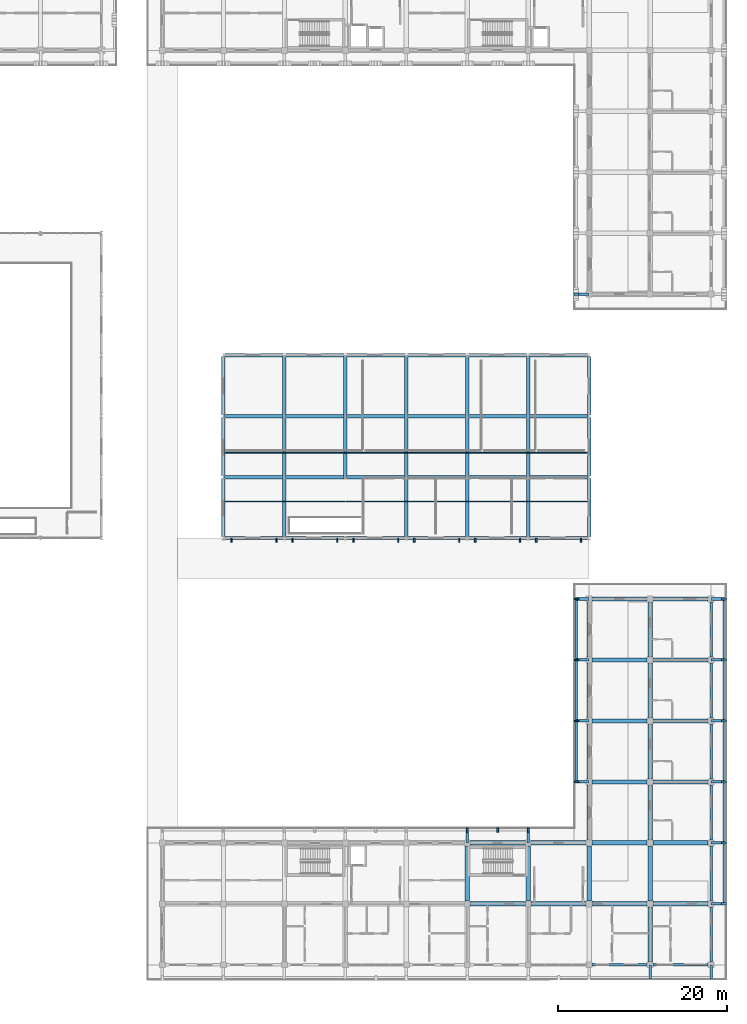
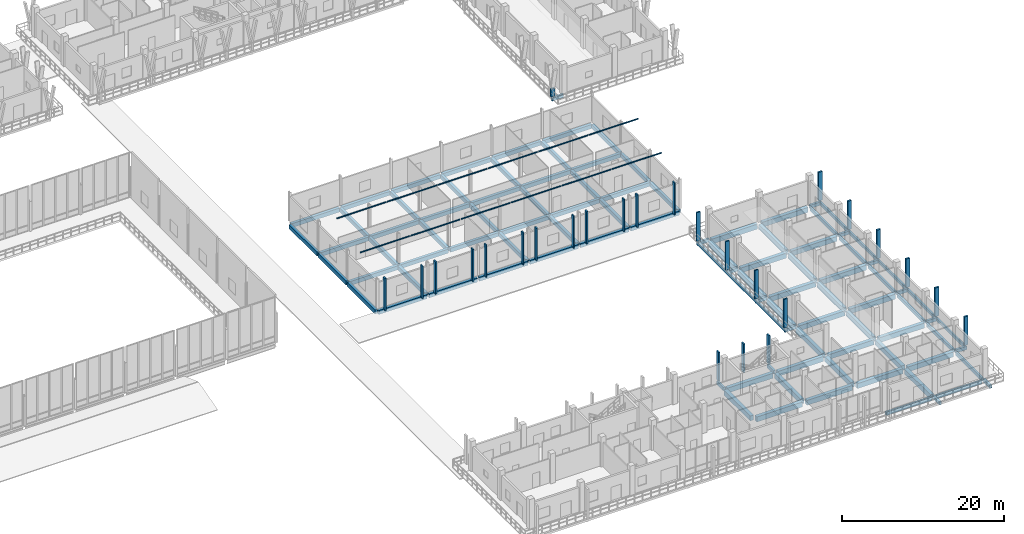
# One storey, part 50 of 110: 98 beams, 38 members.
"""IFC4 building model written with IfcOpenShell, lengths in metres."""

from ifc_helpers import new_model, si_unit, direction, frame, origin, origin_2d, place, context, subcontext, project, spatial, rectangle, i_section, extrude, material, material_profile, profile_set, type_object, element, save


model = new_model("IFC4")

# Units and contexts
model_context = context("Model", 3, precision=1e-05, world=origin(), true_north=direction((0.0, 1.0)))
body_context = subcontext(model_context, "Body", "Model", "MODEL_VIEW")
ifc_project = project(units=[si_unit("LENGTHUNIT", "METRE"), si_unit("AREAUNIT", "SQUARE_METRE"), si_unit("VOLUMEUNIT", "CUBIC_METRE"), si_unit("PLANEANGLEUNIT", "RADIAN"), si_unit("MASSUNIT", "GRAM", prefix="KILO")], contexts=[model_context])

# Site, building, storey
site_placement = place(None, origin())
site = spatial("IfcSite", under=ifc_project, at=site_placement, CompositionType="ELEMENT")
building_placement = place(site_placement, origin())
building = spatial("IfcBuilding", under=site, at=building_placement, Name="Suanplinth Sawtooth Commons", CompositionType="ELEMENT")
storey_placement = place(building_placement, frame((0.0, 0.0, 4.5)))
storey = spatial("IfcBuildingStorey", under=building, at=storey_placement, Name="L01", CompositionType="ELEMENT", Elevation=4.5)

# Beams
ifc_material_1 = material(Name="Concrete C40/50", Category="concrete")
ifc_material_profile_1 = material_profile(ifc_material_1, rectangle(XDim=0.5, YDim=0.75, at=origin_2d()), Name="RC-GDR 500x750")
ifc_profile_set_1 = profile_set([ifc_material_profile_1], Name="Concrete C40/50")
beam_type_1 = type_object("IfcBeamType", Name="B-03", PredefinedType="USERDEFINED", material=ifc_profile_set_1)
for number, where, z_axis, x_axis, name in (
    (1, (158.75, 7.199951171875, -0.675048828125), (1.0, 0.0, 0.0), (0.0, 1.0, 0.0), "BMX-L01-C-22-1"),
    (2, (158.75, 14.39990234375, -0.675048828125), (1.0, 0.0, 0.0), (0.0, 1.0, 0.0), "BMX-L01-C-22-2"),
    (3, (165.949951171875, 7.199951171875, -0.675048828125), (1.0, 0.0, 0.0), (0.0, 1.0, 0.0), "BMX-L01-C-23-1"),
    (4, (165.949951171875, 14.39990234375, -0.675048828125), (1.0, 0.0, 0.0), (0.0, 1.0, 0.0), "BMX-L01-C-23-2"),
    (5, (173.14990234375, 7.199951171875, -0.675048828125), (1.0, 0.0, 0.0), (0.0, 1.0, 0.0), "BMX-L01-C-24-1"),
    (6, (173.14990234375, 14.39990234375, -0.675048828125), (1.0, 0.0, 0.0), (0.0, 1.0, 0.0), "BMX-L01-C-24-2"),
    (7, (173.14990234375, 21.60009765625, -0.675048828125), (1.0, 0.0, 0.0), (0.0, 1.0, 0.0), "BMX-L01-C-24-3"),
    (8, (173.14990234375, 28.800048828125, -0.675048828125), (1.0, 0.0, 0.0), (0.0, 1.0, 0.0), "BMX-L01-C-24-4"),
    (9, (173.14990234375, 36.0, -0.675048828125), (1.0, 0.0, 0.0), (0.0, 1.0, 0.0), "BMX-L01-C-24-5"),
    (10, (173.14990234375, 43.199951171875, -0.675048828125), (1.0, 0.0, 0.0), (0.0, 1.0, 0.0), "BMX-L01-C-24-6"),
    (11, (180.35009765625, 7.199951171875, -0.675048828125), (1.0, 0.0, 0.0), (0.0, 1.0, 0.0), "BMX-L01-C-25-1"),
    (12, (180.35009765625, 14.39990234375, -0.675048828125), (1.0, 0.0, 0.0), (0.0, 1.0, 0.0), "BMX-L01-C-25-2"),
    (13, (180.35009765625, 21.60009765625, -0.675048828125), (1.0, 0.0, 0.0), (0.0, 1.0, 0.0), "BMX-L01-C-25-3"),
    (14, (180.35009765625, 28.800048828125, -0.675048828125), (1.0, 0.0, 0.0), (0.0, 1.0, 0.0), "BMX-L01-C-25-4"),
    (15, (180.35009765625, 36.0, -0.675048828125), (1.0, 0.0, 0.0), (0.0, 1.0, 0.0), "BMX-L01-C-25-5"),
    (16, (180.35009765625, 43.199951171875, -0.675048828125), (1.0, 0.0, 0.0), (0.0, 1.0, 0.0), "BMX-L01-C-25-6"),
    (17, (158.39990234375, 7.550048828125, -0.675048828125), (0.0, 1.0, 0.0), (-1.0, 0.0, 0.0), "BMY-L01-C-22-1"),
    (18, (165.60009765625, 7.550048828125, -0.675048828125), (0.0, 1.0, 0.0), (-1.0, 0.0, 0.0), "BMY-L01-C-23-1"),
    (19, (172.800048828125, 7.550048828125, -0.675048828125), (0.0, 1.0, 0.0), (-1.0, 0.0, 0.0), "BMY-L01-C-24-1"),
    (20, (172.800048828125, 14.75, -0.675048828125), (0.0, 1.0, 0.0), (-1.0, 0.0, 0.0), "BMY-L01-C-24-2"),
    (21, (172.800048828125, 21.949951171875, -0.675048828125), (0.0, 1.0, 0.0), (-1.0, 0.0, 0.0), "BMY-L01-C-24-3"),
    (22, (172.800048828125, 29.14990234375, -0.675048828125), (0.0, 1.0, 0.0), (-1.0, 0.0, 0.0), "BMY-L01-C-24-4"),
    (23, (172.800048828125, 36.35009765625, -0.675048828125), (0.0, 1.0, 0.0), (-1.0, 0.0, 0.0), "BMY-L01-C-24-5"),
    (24, (180.0, 0.35009765625, -0.675048828125), (0.0, 1.0, 0.0), (-1.0, 0.0, 0.0), "BMY-L01-C-25-0"),
    (25, (180.0, 7.550048828125, -0.675048828125), (0.0, 1.0, 0.0), (-1.0, 0.0, 0.0), "BMY-L01-C-25-1"),
    (26, (180.0, 14.75, -0.675048828125), (0.0, 1.0, 0.0), (-1.0, 0.0, 0.0), "BMY-L01-C-25-2"),
    (27, (180.0, 21.949951171875, -0.675048828125), (0.0, 1.0, 0.0), (-1.0, 0.0, 0.0), "BMY-L01-C-25-3"),
    (28, (180.0, 29.14990234375, -0.675048828125), (0.0, 1.0, 0.0), (-1.0, 0.0, 0.0), "BMY-L01-C-25-4"),
    (29, (180.0, 36.35009765625, -0.675048828125), (0.0, 1.0, 0.0), (-1.0, 0.0, 0.0), "BMY-L01-C-25-5"),
):
    element("IfcBeam", number, at=place(storey_placement, frame(where, z_axis=z_axis, x_axis=x_axis)), inside=storey, type_object=beam_type_1, Name=name, ObjectType="GIRDER", PredefinedType="USERDEFINED", context=body_context, shape_type="SweptSolid", body=[
        extrude(rectangle(XDim=0.5, YDim=0.75, at=origin_2d()), origin(), (0.0, 0.0, 1.0), 6.5),
    ])
ifc_material_2 = material(Name="Precast concrete C40/50", Category="concrete")
ifc_material_profile_2 = material_profile(ifc_material_2, rectangle(XDim=0.39990234375, YDim=0.60009765625, at=origin_2d()), Name="PC-GDR 400x600")
ifc_profile_set_2 = profile_set([ifc_material_profile_2], Name="Precast concrete C40/50")
beam_type_2 = type_object("IfcBeamType", Name="B-05", PredefinedType="USERDEFINED", material=ifc_profile_set_2)
for number, where, z_axis, x_axis, name in (
    (30, (129.75, 50.39990234375, -0.60009765625), (1.0, 0.0, 0.0), (0.0, 1.0, 0.0), "BMX-L01-NURS-18-7"),
    (31, (129.75, 57.60009765625, -0.60009765625), (1.0, 0.0, 0.0), (0.0, 1.0, 0.0), "BMX-L01-NURS-18-8"),
    (32, (129.75, 64.800048828125, -0.60009765625), (1.0, 0.0, 0.0), (0.0, 1.0, 0.0), "BMX-L01-NURS-18-9"),
    (33, (129.75, 72.0, -0.60009765625), (1.0, 0.0, 0.0), (0.0, 1.0, 0.0), "BMX-L01-NURS-18-10"),
):
    element("IfcBeam", number, at=place(storey_placement, frame(where, z_axis=z_axis, x_axis=x_axis)), inside=storey, type_object=beam_type_2, Name=name, ObjectType="GIRDER", PredefinedType="USERDEFINED", context=body_context, shape_type="SweptSolid", body=[
        extrude(rectangle(XDim=0.39990234375, YDim=0.60009765625, at=origin_2d()), origin(), (0.0, 0.0, 1.0), 6.89990234375),
    ])
for number, where, z_axis, x_axis, name in (
    (34, (136.949951171875, 50.39990234375, -0.60009765625), (1.0, 0.0, 0.0), (0.0, 1.0, 0.0), "BMX-L01-NURS-19-7"),
    (35, (136.949951171875, 57.60009765625, -0.60009765625), (1.0, 0.0, 0.0), (0.0, 1.0, 0.0), "BMX-L01-NURS-19-8"),
    (36, (136.949951171875, 64.800048828125, -0.60009765625), (1.0, 0.0, 0.0), (0.0, 1.0, 0.0), "BMX-L01-NURS-19-9"),
    (37, (136.949951171875, 72.0, -0.60009765625), (1.0, 0.0, 0.0), (0.0, 1.0, 0.0), "BMX-L01-NURS-19-10"),
    (38, (144.14990234375, 50.39990234375, -0.60009765625), (1.0, 0.0, 0.0), (0.0, 1.0, 0.0), "BMX-L01-NURS-20-7"),
    (39, (144.14990234375, 57.60009765625, -0.60009765625), (1.0, 0.0, 0.0), (0.0, 1.0, 0.0), "BMX-L01-NURS-20-8"),
    (40, (144.14990234375, 64.800048828125, -0.60009765625), (1.0, 0.0, 0.0), (0.0, 1.0, 0.0), "BMX-L01-NURS-20-9"),
    (41, (144.14990234375, 72.0, -0.60009765625), (1.0, 0.0, 0.0), (0.0, 1.0, 0.0), "BMX-L01-NURS-20-10"),
):
    element("IfcBeam", number, at=place(storey_placement, frame(where, z_axis=z_axis, x_axis=x_axis)), inside=storey, type_object=beam_type_2, Name=name, ObjectType="GIRDER", PredefinedType="USERDEFINED", context=body_context, shape_type="SweptSolid", body=[
        extrude(rectangle(XDim=0.39990234375, YDim=0.60009765625, at=origin_2d()), origin(), (0.0, 0.0, 1.0), 6.900146484375),
    ])
for number, where, z_axis, x_axis, name in (
    (42, (151.35009765625, 50.39990234375, -0.60009765625), (1.0, 0.0, 0.0), (0.0, 1.0, 0.0), "BMX-L01-NURS-21-7"),
    (43, (151.35009765625, 57.60009765625, -0.60009765625), (1.0, 0.0, 0.0), (0.0, 1.0, 0.0), "BMX-L01-NURS-21-8"),
    (44, (151.35009765625, 64.800048828125, -0.60009765625), (1.0, 0.0, 0.0), (0.0, 1.0, 0.0), "BMX-L01-NURS-21-9"),
    (45, (151.35009765625, 72.0, -0.60009765625), (1.0, 0.0, 0.0), (0.0, 1.0, 0.0), "BMX-L01-NURS-21-10"),
    (46, (158.550048828125, 50.39990234375, -0.60009765625), (1.0, 0.0, 0.0), (0.0, 1.0, 0.0), "BMX-L01-NURS-22-7"),
    (47, (158.550048828125, 57.60009765625, -0.60009765625), (1.0, 0.0, 0.0), (0.0, 1.0, 0.0), "BMX-L01-NURS-22-8"),
    (48, (158.550048828125, 64.800048828125, -0.60009765625), (1.0, 0.0, 0.0), (0.0, 1.0, 0.0), "BMX-L01-NURS-22-9"),
    (49, (158.550048828125, 72.0, -0.60009765625), (1.0, 0.0, 0.0), (0.0, 1.0, 0.0), "BMX-L01-NURS-22-10"),
    (50, (165.75, 50.39990234375, -0.60009765625), (1.0, 0.0, 0.0), (0.0, 1.0, 0.0), "BMX-L01-NURS-23-7"),
    (51, (165.75, 57.60009765625, -0.60009765625), (1.0, 0.0, 0.0), (0.0, 1.0, 0.0), "BMX-L01-NURS-23-8"),
    (52, (165.75, 64.800048828125, -0.60009765625), (1.0, 0.0, 0.0), (0.0, 1.0, 0.0), "BMX-L01-NURS-23-9"),
    (53, (165.75, 72.0, -0.60009765625), (1.0, 0.0, 0.0), (0.0, 1.0, 0.0), "BMX-L01-NURS-23-10"),
    (54, (129.60009765625, 50.550048828125, -0.60009765625), (0.0, 1.0, 0.0), (-1.0, 0.0, 0.0), "BMY-L01-NURS-18-7"),
    (55, (129.60009765625, 57.75, -0.60009765625), (0.0, 1.0, 0.0), (-1.0, 0.0, 0.0), "BMY-L01-NURS-18-8"),
):
    element("IfcBeam", number, at=place(storey_placement, frame(where, z_axis=z_axis, x_axis=x_axis)), inside=storey, type_object=beam_type_2, Name=name, ObjectType="GIRDER", PredefinedType="USERDEFINED", context=body_context, shape_type="SweptSolid", body=[
        extrude(rectangle(XDim=0.39990234375, YDim=0.60009765625, at=origin_2d()), origin(), (0.0, 0.0, 1.0), 6.89990234375),
    ])
beam_1_placement = place(storey_placement, frame((129.60009765625, 64.949951171875, -0.60009765625), z_axis=(0.0, 1.0, 0.0), x_axis=(-1.0, 0.0, 0.0)))
element("IfcBeam", 56, at=beam_1_placement, inside=storey, type_object=beam_type_2, Name="BMY-L01-NURS-18-9", ObjectType="GIRDER", PredefinedType="USERDEFINED", context=body_context, shape_type="SweptSolid", body=[
    extrude(rectangle(XDim=0.39990234375, YDim=0.60009765625, at=origin_2d()), origin(), (0.0, 0.0, 1.0), 6.900146484375),
])
for number, where, z_axis, x_axis, name in (
    (57, (136.800048828125, 50.550048828125, -0.60009765625), (0.0, 1.0, 0.0), (-1.0, 0.0, 0.0), "BMY-L01-NURS-19-7"),
    (58, (136.800048828125, 57.75, -0.60009765625), (0.0, 1.0, 0.0), (-1.0, 0.0, 0.0), "BMY-L01-NURS-19-8"),
):
    element("IfcBeam", number, at=place(storey_placement, frame(where, z_axis=z_axis, x_axis=x_axis)), inside=storey, type_object=beam_type_2, Name=name, ObjectType="GIRDER", PredefinedType="USERDEFINED", context=body_context, shape_type="SweptSolid", body=[
        extrude(rectangle(XDim=0.39990234375, YDim=0.60009765625, at=origin_2d()), origin(), (0.0, 0.0, 1.0), 6.89990234375),
    ])
beam_2_placement = place(storey_placement, frame((136.800048828125, 64.949951171875, -0.60009765625), z_axis=(0.0, 1.0, 0.0), x_axis=(-1.0, 0.0, 0.0)))
element("IfcBeam", 59, at=beam_2_placement, inside=storey, type_object=beam_type_2, Name="BMY-L01-NURS-19-9", ObjectType="GIRDER", PredefinedType="USERDEFINED", context=body_context, shape_type="SweptSolid", body=[
    extrude(rectangle(XDim=0.39990234375, YDim=0.60009765625, at=origin_2d()), origin(), (0.0, 0.0, 1.0), 6.900146484375),
])
beam_3_placement = place(storey_placement, frame((144.0, 57.75, -0.60009765625), z_axis=(0.0, 1.0, 0.0), x_axis=(-1.0, 0.0, 0.0)))
element("IfcBeam", 60, at=beam_3_placement, inside=storey, type_object=beam_type_2, Name="BMY-L01-NURS-20-8", ObjectType="GIRDER", PredefinedType="USERDEFINED", context=body_context, shape_type="SweptSolid", body=[
    extrude(rectangle(XDim=0.39990234375, YDim=0.60009765625, at=origin_2d()), origin(), (0.0, 0.0, 1.0), 6.89990234375),
])
beam_4_placement = place(storey_placement, frame((144.0, 64.949951171875, -0.60009765625), z_axis=(0.0, 1.0, 0.0), x_axis=(-1.0, 0.0, 0.0)))
element("IfcBeam", 61, at=beam_4_placement, inside=storey, type_object=beam_type_2, Name="BMY-L01-NURS-20-9", ObjectType="GIRDER", PredefinedType="USERDEFINED", context=body_context, shape_type="SweptSolid", body=[
    extrude(rectangle(XDim=0.39990234375, YDim=0.60009765625, at=origin_2d()), origin(), (0.0, 0.0, 1.0), 6.900146484375),
])
for number, where, z_axis, x_axis, name in (
    (62, (151.199951171875, 50.550048828125, -0.60009765625), (0.0, 1.0, 0.0), (-1.0, 0.0, 0.0), "BMY-L01-NURS-21-7"),
    (63, (151.199951171875, 57.75, -0.60009765625), (0.0, 1.0, 0.0), (-1.0, 0.0, 0.0), "BMY-L01-NURS-21-8"),
):
    element("IfcBeam", number, at=place(storey_placement, frame(where, z_axis=z_axis, x_axis=x_axis)), inside=storey, type_object=beam_type_2, Name=name, ObjectType="GIRDER", PredefinedType="USERDEFINED", context=body_context, shape_type="SweptSolid", body=[
        extrude(rectangle(XDim=0.39990234375, YDim=0.60009765625, at=origin_2d()), origin(), (0.0, 0.0, 1.0), 6.89990234375),
    ])
beam_5_placement = place(storey_placement, frame((151.199951171875, 64.949951171875, -0.60009765625), z_axis=(0.0, 1.0, 0.0), x_axis=(-1.0, 0.0, 0.0)))
element("IfcBeam", 64, at=beam_5_placement, inside=storey, type_object=beam_type_2, Name="BMY-L01-NURS-21-9", ObjectType="GIRDER", PredefinedType="USERDEFINED", context=body_context, shape_type="SweptSolid", body=[
    extrude(rectangle(XDim=0.39990234375, YDim=0.60009765625, at=origin_2d()), origin(), (0.0, 0.0, 1.0), 6.900146484375),
])
for number, where, z_axis, x_axis, name in (
    (65, (158.39990234375, 50.550048828125, -0.60009765625), (0.0, 1.0, 0.0), (-1.0, 0.0, 0.0), "BMY-L01-NURS-22-7"),
    (66, (158.39990234375, 57.75, -0.60009765625), (0.0, 1.0, 0.0), (-1.0, 0.0, 0.0), "BMY-L01-NURS-22-8"),
):
    element("IfcBeam", number, at=place(storey_placement, frame(where, z_axis=z_axis, x_axis=x_axis)), inside=storey, type_object=beam_type_2, Name=name, ObjectType="GIRDER", PredefinedType="USERDEFINED", context=body_context, shape_type="SweptSolid", body=[
        extrude(rectangle(XDim=0.39990234375, YDim=0.60009765625, at=origin_2d()), origin(), (0.0, 0.0, 1.0), 6.89990234375),
    ])
beam_6_placement = place(storey_placement, frame((158.39990234375, 64.949951171875, -0.60009765625), z_axis=(0.0, 1.0, 0.0), x_axis=(-1.0, 0.0, 0.0)))
element("IfcBeam", 67, at=beam_6_placement, inside=storey, type_object=beam_type_2, Name="BMY-L01-NURS-22-9", ObjectType="GIRDER", PredefinedType="USERDEFINED", context=body_context, shape_type="SweptSolid", body=[
    extrude(rectangle(XDim=0.39990234375, YDim=0.60009765625, at=origin_2d()), origin(), (0.0, 0.0, 1.0), 6.900146484375),
])
for number, where, z_axis, x_axis, name in (
    (68, (165.60009765625, 50.550048828125, -0.60009765625), (0.0, 1.0, 0.0), (-1.0, 0.0, 0.0), "BMY-L01-NURS-23-7"),
    (69, (165.60009765625, 57.75, -0.60009765625), (0.0, 1.0, 0.0), (-1.0, 0.0, 0.0), "BMY-L01-NURS-23-8"),
):
    element("IfcBeam", number, at=place(storey_placement, frame(where, z_axis=z_axis, x_axis=x_axis)), inside=storey, type_object=beam_type_2, Name=name, ObjectType="GIRDER", PredefinedType="USERDEFINED", context=body_context, shape_type="SweptSolid", body=[
        extrude(rectangle(XDim=0.39990234375, YDim=0.60009765625, at=origin_2d()), origin(), (0.0, 0.0, 1.0), 6.89990234375),
    ])
beam_7_placement = place(storey_placement, frame((165.60009765625, 64.949951171875, -0.60009765625), z_axis=(0.0, 1.0, 0.0), x_axis=(-1.0, 0.0, 0.0)))
element("IfcBeam", 70, at=beam_7_placement, inside=storey, type_object=beam_type_2, Name="BMY-L01-NURS-23-9", ObjectType="GIRDER", PredefinedType="USERDEFINED", context=body_context, shape_type="SweptSolid", body=[
    extrude(rectangle(XDim=0.39990234375, YDim=0.60009765625, at=origin_2d()), origin(), (0.0, 0.0, 1.0), 6.900146484375),
])
for number, where, z_axis, x_axis, name in (
    (71, (172.800048828125, 50.550048828125, -0.60009765625), (0.0, 1.0, 0.0), (-1.0, 0.0, 0.0), "BMY-L01-NURS-24-7"),
    (72, (172.800048828125, 57.75, -0.60009765625), (0.0, 1.0, 0.0), (-1.0, 0.0, 0.0), "BMY-L01-NURS-24-8"),
):
    element("IfcBeam", number, at=place(storey_placement, frame(where, z_axis=z_axis, x_axis=x_axis)), inside=storey, type_object=beam_type_2, Name=name, ObjectType="GIRDER", PredefinedType="USERDEFINED", context=body_context, shape_type="SweptSolid", body=[
        extrude(rectangle(XDim=0.39990234375, YDim=0.60009765625, at=origin_2d()), origin(), (0.0, 0.0, 1.0), 6.89990234375),
    ])
beam_8_placement = place(storey_placement, frame((172.800048828125, 64.949951171875, -0.60009765625), z_axis=(0.0, 1.0, 0.0), x_axis=(-1.0, 0.0, 0.0)))
element("IfcBeam", 73, at=beam_8_placement, inside=storey, type_object=beam_type_2, Name="BMY-L01-NURS-24-9", ObjectType="GIRDER", PredefinedType="USERDEFINED", context=body_context, shape_type="SweptSolid", body=[
    extrude(rectangle(XDim=0.39990234375, YDim=0.60009765625, at=origin_2d()), origin(), (0.0, 0.0, 1.0), 6.900146484375),
])
ifc_material_profile_3 = material_profile(ifc_material_2, rectangle(XDim=0.300048828125, YDim=0.5, at=origin_2d()), Name="PC-BM 300x500")
ifc_profile_set_3 = profile_set([ifc_material_profile_3], Name="Precast concrete C40/50")
beam_type_3 = type_object("IfcBeamType", Name="B-07", PredefinedType="BEAM", material=ifc_profile_set_3)
beam_9_placement = place(storey_placement, frame((172.800048828125, 79.199951171875, -0.425048828125), z_axis=(-1.0, 0.0, 0.0), x_axis=(0.0, -1.0, 0.0)))
element("IfcBeam", 74, at=beam_9_placement, inside=storey, type_object=beam_type_3, Name="Balcony Outrigger L01-B-WC-11", PredefinedType="BEAM", context=body_context, shape_type="SweptSolid", body=[
    extrude(rectangle(XDim=0.300048828125, YDim=0.5, at=origin_2d()), origin(), (0.0, 0.0, 1.0), 1.64013671875),
])
for number, where, z_axis, x_axis, name in (
    (75, (180.0, 0.0, -0.429931640625), (0.0, -1.0, 0.0), (1.0, 0.0, 0.0), "Balcony Outrigger L01-C-S-25"),
    (76, (187.199951171875, 0.0, -0.429931640625), (0.0, -1.0, 0.0), (1.0, 0.0, 0.0), "Balcony Outrigger L01-C-S-26"),
):
    element("IfcBeam", number, at=place(storey_placement, frame(where, z_axis=z_axis, x_axis=x_axis)), inside=storey, type_object=beam_type_3, Name=name, PredefinedType="BEAM", context=body_context, shape_type="SweptSolid", body=[
        extrude(rectangle(XDim=0.300048828125, YDim=0.5, at=origin_2d()), origin(), (0.0, 0.0, 1.0), 1.639892578125),
    ])
for number, where, z_axis, x_axis, name in (
    (77, (187.199951171875, 7.199951171875, -0.429931640625), (1.0, 0.0, 0.0), (0.0, 1.0, 0.0), "Balcony Outrigger L01-C-E-1"),
    (78, (187.199951171875, 14.39990234375, -0.429931640625), (1.0, 0.0, 0.0), (0.0, 1.0, 0.0), "Balcony Outrigger L01-C-E-2"),
    (79, (187.199951171875, 21.60009765625, -0.429931640625), (1.0, 0.0, 0.0), (0.0, 1.0, 0.0), "Balcony Outrigger L01-C-E-3"),
    (80, (187.199951171875, 28.800048828125, -0.429931640625), (1.0, 0.0, 0.0), (0.0, 1.0, 0.0), "Balcony Outrigger L01-C-E-4"),
    (81, (187.199951171875, 36.0, -0.429931640625), (1.0, 0.0, 0.0), (0.0, 1.0, 0.0), "Balcony Outrigger L01-C-E-5"),
    (82, (187.199951171875, 43.199951171875, -0.429931640625), (1.0, 0.0, 0.0), (0.0, 1.0, 0.0), "Balcony Outrigger L01-C-E-6"),
    (83, (158.39990234375, 14.39990234375, -0.425048828125), (0.0, 1.0, 0.0), (-1.0, 0.0, 0.0), "Balcony Outrigger L01-C-NC-22"),
    (84, (165.60009765625, 14.39990234375, -0.425048828125), (0.0, 1.0, 0.0), (-1.0, 0.0, 0.0), "Balcony Outrigger L01-C-NC-23"),
    (85, (172.800048828125, 21.60009765625, -0.425048828125), (-1.0, 0.0, 0.0), (0.0, -1.0, 0.0), "Balcony Outrigger L01-C-WC-3"),
    (86, (172.800048828125, 28.800048828125, -0.425048828125), (-1.0, 0.0, 0.0), (0.0, -1.0, 0.0), "Balcony Outrigger L01-C-WC-4"),
    (87, (172.800048828125, 36.0, -0.425048828125), (-1.0, 0.0, 0.0), (0.0, -1.0, 0.0), "Balcony Outrigger L01-C-WC-5"),
    (88, (172.800048828125, 43.199951171875, -0.425048828125), (-1.0, 0.0, 0.0), (0.0, -1.0, 0.0), "Balcony Outrigger L01-C-WC-6"),
):
    element("IfcBeam", number, at=place(storey_placement, frame(where, z_axis=z_axis, x_axis=x_axis)), inside=storey, type_object=beam_type_3, Name=name, PredefinedType="BEAM", context=body_context, shape_type="SweptSolid", body=[
        extrude(rectangle(XDim=0.300048828125, YDim=0.5, at=origin_2d()), origin(), (0.0, 0.0, 1.0), 1.64013671875),
    ])
ifc_material_profile_4 = material_profile(ifc_material_2, rectangle(XDim=0.280029296875, YDim=0.52001953125, at=origin_2d()), Name="PC-SP 280x520")
ifc_profile_set_4 = profile_set([ifc_material_profile_4], Name="Precast concrete C40/50")
beam_type_4 = type_object("IfcBeamType", Name="B-08", PredefinedType="SPANDREL", material=ifc_profile_set_4)
for number, where, z_axis, x_axis, name in (
    (89, (173.14990234375, 0.0, -0.56005859375), (1.0, 0.0, 0.0), (0.0, 1.0, 0.0), "BMX-L01-C-24-0"),
    (90, (180.35009765625, 0.0, -0.56005859375), (1.0, 0.0, 0.0), (0.0, 1.0, 0.0), "BMX-L01-C-25-0"),
    (91, (187.199951171875, 0.35009765625, -0.56005859375), (0.0, 1.0, 0.0), (-1.0, 0.0, 0.0), "BMY-L01-C-26-0"),
    (92, (187.199951171875, 7.550048828125, -0.56005859375), (0.0, 1.0, 0.0), (-1.0, 0.0, 0.0), "BMY-L01-C-26-1"),
    (93, (187.199951171875, 14.75, -0.56005859375), (0.0, 1.0, 0.0), (-1.0, 0.0, 0.0), "BMY-L01-C-26-2"),
    (94, (187.199951171875, 21.949951171875, -0.56005859375), (0.0, 1.0, 0.0), (-1.0, 0.0, 0.0), "BMY-L01-C-26-3"),
    (95, (187.199951171875, 29.14990234375, -0.56005859375), (0.0, 1.0, 0.0), (-1.0, 0.0, 0.0), "BMY-L01-C-26-4"),
    (96, (187.199951171875, 36.35009765625, -0.56005859375), (0.0, 1.0, 0.0), (-1.0, 0.0, 0.0), "BMY-L01-C-26-5"),
):
    element("IfcBeam", number, at=place(storey_placement, frame(where, z_axis=z_axis, x_axis=x_axis)), inside=storey, type_object=beam_type_4, Name=name, PredefinedType="SPANDREL", context=body_context, shape_type="SweptSolid", body=[
        extrude(rectangle(XDim=0.280029296875, YDim=0.52001953125, at=origin_2d()), origin(), (0.0, 0.0, 1.0), 6.5),
    ])
ifc_material_profile_5 = material_profile(ifc_material_2, rectangle(XDim=0.25, YDim=0.449951171875, at=origin_2d()), Name="PC-SP 250x450")
ifc_profile_set_5 = profile_set([ifc_material_profile_5], Name="Precast concrete C40/50")
beam_type_5 = type_object("IfcBeamType", Name="B-09", PredefinedType="SPANDREL", material=ifc_profile_set_5)
beam_10_placement = place(storey_placement, frame((188.719970703125, 7.050048828125, -0.405029296875), z_axis=(0.0, 1.0, 0.0), x_axis=(-1.0, 0.0, 0.0)))
element("IfcBeam", 97, at=beam_10_placement, inside=storey, type_object=beam_type_5, Name="Balcony Edge Fascia L01-C-E", PredefinedType="SPANDREL", context=body_context, shape_type="SweptSolid", body=[
    extrude(rectangle(XDim=0.25, YDim=0.449951171875, at=origin_2d()), origin(), (0.0, 0.0, 1.0), 36.300048828125),
])
beam_11_placement = place(storey_placement, frame((171.280029296875, 21.449951171875, -0.39990234375), z_axis=(0.0, 1.0, 0.0), x_axis=(-1.0, 0.0, 0.0)))
element("IfcBeam", 98, at=beam_11_placement, inside=storey, type_object=beam_type_5, Name="Balcony Edge Fascia L01-C-WC", PredefinedType="SPANDREL", context=body_context, shape_type="SweptSolid", body=[
    extrude(rectangle(XDim=0.25, YDim=0.449951171875, at=origin_2d()), origin(), (0.0, 0.0, 1.0), 21.900146484375),
])

# Members
ifc_material_3 = material(Name="Steel SS400", Category="steel")
ifc_material_profile_6 = material_profile(ifc_material_3, i_section(OverallWidth=0.091064453125, OverallDepth=0.179931640625, WebThickness=0.00537109375, FlangeThickness=0.008056640625, at=origin_2d()), Name="IPE 180")
ifc_profile_set_6 = profile_set([ifc_material_profile_6], Name="Steel SS400")
member_type_1 = type_object("IfcMemberType", Name="M-07", PredefinedType="PURLIN", material=ifc_profile_set_6)
for number, where, z_axis, x_axis, name in (
    (99, (129.64990234375, 54.719970703125, 5.76904296875), (1.0, 0.0, 0.0), (0.0, 1.0, 0.0), "Nursery Roof Purlin 18-1"),
    (100, (129.64990234375, 60.47998046875, 7.4208984375), (1.0, 0.0, 0.0), (0.0, 1.0, 0.0), "Nursery Roof Purlin 18-2"),
):
    element("IfcMember", number, at=place(storey_placement, frame(where, z_axis=z_axis, x_axis=x_axis)), inside=storey, type_object=member_type_1, Name=name, PredefinedType="PURLIN", context=body_context, shape_type="SweptSolid", body=[
        extrude(i_section(OverallWidth=0.091064453125, OverallDepth=0.179931640625, WebThickness=0.00537109375, FlangeThickness=0.008056640625, at=origin_2d()), origin(), (0.0, 0.0, 1.0), 7.10009765625),
    ])
for number, where, z_axis, x_axis, name in (
    (101, (136.85009765625, 54.719970703125, 5.76904296875), (1.0, 0.0, 0.0), (0.0, 1.0, 0.0), "Nursery Roof Purlin 19-1"),
    (102, (136.85009765625, 60.47998046875, 7.4208984375), (1.0, 0.0, 0.0), (0.0, 1.0, 0.0), "Nursery Roof Purlin 19-2"),
    (103, (144.050048828125, 54.719970703125, 5.76904296875), (1.0, 0.0, 0.0), (0.0, 1.0, 0.0), "Nursery Roof Purlin 20-1"),
    (104, (144.050048828125, 60.47998046875, 7.4208984375), (1.0, 0.0, 0.0), (0.0, 1.0, 0.0), "Nursery Roof Purlin 20-2"),
):
    element("IfcMember", number, at=place(storey_placement, frame(where, z_axis=z_axis, x_axis=x_axis)), inside=storey, type_object=member_type_1, Name=name, PredefinedType="PURLIN", context=body_context, shape_type="SweptSolid", body=[
        extrude(i_section(OverallWidth=0.091064453125, OverallDepth=0.179931640625, WebThickness=0.00537109375, FlangeThickness=0.008056640625, at=origin_2d()), origin(), (0.0, 0.0, 1.0), 7.099853515625),
    ])
for number, where, z_axis, x_axis, name in (
    (105, (151.25, 54.719970703125, 5.76904296875), (1.0, 0.0, 0.0), (0.0, 1.0, 0.0), "Nursery Roof Purlin 21-1"),
    (106, (151.25, 60.47998046875, 7.4208984375), (1.0, 0.0, 0.0), (0.0, 1.0, 0.0), "Nursery Roof Purlin 21-2"),
    (107, (158.449951171875, 54.719970703125, 5.76904296875), (1.0, 0.0, 0.0), (0.0, 1.0, 0.0), "Nursery Roof Purlin 22-1"),
    (108, (158.449951171875, 60.47998046875, 7.4208984375), (1.0, 0.0, 0.0), (0.0, 1.0, 0.0), "Nursery Roof Purlin 22-2"),
    (109, (165.64990234375, 54.719970703125, 5.76904296875), (1.0, 0.0, 0.0), (0.0, 1.0, 0.0), "Nursery Roof Purlin 23-1"),
    (110, (165.64990234375, 60.47998046875, 7.4208984375), (1.0, 0.0, 0.0), (0.0, 1.0, 0.0), "Nursery Roof Purlin 23-2"),
):
    element("IfcMember", number, at=place(storey_placement, frame(where, z_axis=z_axis, x_axis=x_axis)), inside=storey, type_object=member_type_1, Name=name, PredefinedType="PURLIN", context=body_context, shape_type="SweptSolid", body=[
        extrude(i_section(OverallWidth=0.091064453125, OverallDepth=0.179931640625, WebThickness=0.00537109375, FlangeThickness=0.008056640625, at=origin_2d()), origin(), (0.0, 0.0, 1.0), 7.10009765625),
    ])
ifc_material_4 = material(Name="Pigmented precast concrete C40/50", Category="concrete")
ifc_material_profile_7 = material_profile(ifc_material_4, rectangle(XDim=0.260009765625, YDim=0.550048828125, at=origin_2d()), Name="PC-FIN 260x550")
ifc_profile_set_7 = profile_set([ifc_material_profile_7], Name="Pigmented precast concrete C40/50")
member_type_2 = type_object("IfcMemberType", Name="M-09", PredefinedType="USERDEFINED", material=ifc_profile_set_7)
member_placement = place(storey_placement, frame((171.280029296875, 79.199951171875, 0.0), z_axis=(0.0, 0.0, 1.0), x_axis=(0.0, 1.0, 0.0)))
element("IfcMember", 111, at=member_placement, inside=storey, type_object=member_type_2, Name="Y-Blade Stem L01-B-WC-25", ObjectType="SHADING FIN", PredefinedType="USERDEFINED", context=body_context, shape_type="SweptSolid", body=[
    extrude(rectangle(XDim=0.260009765625, YDim=0.550048828125, at=origin_2d()), origin(), (0.0, 0.0, 1.0), 1.169921875),
])
ifc_material_profile_8 = material_profile(ifc_material_4, rectangle(XDim=0.25, YDim=0.5400390625, at=origin_2d()), Name="PC-FIN 250x540")
ifc_profile_set_8 = profile_set([ifc_material_profile_8], Name="Pigmented precast concrete C40/50")
member_type_3 = type_object("IfcMemberType", Name="M-11", PredefinedType="USERDEFINED", material=ifc_profile_set_8)
for number, where, z_axis, x_axis, name in (
    (112, (188.719970703125, 7.199951171875, 0.0), (0.0, 0.0, 1.0), (0.0, 1.0, 0.0), "Upright Solar Blade L01-C-E-09"),
    (113, (188.719970703125, 14.39990234375, 0.0), (0.0, 0.0, 1.0), (0.0, 1.0, 0.0), "Upright Solar Blade L01-C-E-10"),
    (114, (188.719970703125, 21.60009765625, 0.0), (0.0, 0.0, 1.0), (0.0, 1.0, 0.0), "Upright Solar Blade L01-C-E-11"),
    (115, (188.719970703125, 28.800048828125, 0.0), (0.0, 0.0, 1.0), (0.0, 1.0, 0.0), "Upright Solar Blade L01-C-E-12"),
    (116, (188.719970703125, 36.0, 0.0), (0.0, 0.0, 1.0), (0.0, 1.0, 0.0), "Upright Solar Blade L01-C-E-13"),
    (117, (188.719970703125, 43.199951171875, 0.0), (0.0, 0.0, 1.0), (0.0, 1.0, 0.0), "Upright Solar Blade L01-C-E-14"),
):
    element("IfcMember", number, at=place(storey_placement, frame(where, z_axis=z_axis, x_axis=x_axis)), inside=storey, type_object=member_type_3, Name=name, ObjectType="SHADING FIN", PredefinedType="USERDEFINED", context=body_context, shape_type="SweptSolid", body=[
        extrude(rectangle(XDim=0.25, YDim=0.5400390625, at=origin_2d()), origin(), (0.0, 0.0, 1.0), 4.330078125),
    ])
ifc_material_profile_9 = material_profile(ifc_material_4, rectangle(XDim=0.2099609375, YDim=0.52001953125, at=origin_2d()), Name="PC-FIN 210x520")
ifc_profile_set_9 = profile_set([ifc_material_profile_9], Name="Pigmented precast concrete C40/50")
member_type_4 = type_object("IfcMemberType", Name="M-12", PredefinedType="USERDEFINED", material=ifc_profile_set_9)
for number, where, z_axis, x_axis, name in (
    (118, (158.39990234375, 15.919921875, 0.0), (0.0, 0.0, 1.0), (1.0, 0.0, 0.0), "Upright Solar Blade L01-C-NC-22"),
    (119, (162.0, 15.919921875, 0.0), (0.0, 0.0, 1.0), (1.0, 0.0, 0.0), "Upright Solar Blade L01-C-NC-23"),
    (120, (165.60009765625, 15.919921875, 0.0), (0.0, 0.0, 1.0), (1.0, 0.0, 0.0), "Upright Solar Blade L01-C-NC-24"),
    (121, (171.280029296875, 21.60009765625, 0.0), (0.0, 0.0, 1.0), (0.0, 1.0, 0.0), "Upright Solar Blade L01-C-WC-25"),
    (122, (171.280029296875, 28.800048828125, 0.0), (0.0, 0.0, 1.0), (0.0, 1.0, 0.0), "Upright Solar Blade L01-C-WC-26"),
    (123, (171.280029296875, 36.0, 0.0), (0.0, 0.0, 1.0), (0.0, 1.0, 0.0), "Upright Solar Blade L01-C-WC-27"),
    (124, (171.280029296875, 43.199951171875, 0.0), (0.0, 0.0, 1.0), (0.0, 1.0, 0.0), "Upright Solar Blade L01-C-WC-28"),
):
    element("IfcMember", number, at=place(storey_placement, frame(where, z_axis=z_axis, x_axis=x_axis)), inside=storey, type_object=member_type_4, Name=name, ObjectType="SHADING FIN", PredefinedType="USERDEFINED", context=body_context, shape_type="SweptSolid", body=[
        extrude(rectangle(XDim=0.2099609375, YDim=0.52001953125, at=origin_2d()), origin(), (0.0, 0.0, 1.0), 4.330078125),
    ])
ifc_material_profile_10 = material_profile(ifc_material_4, rectangle(XDim=0.199951171875, YDim=0.449951171875, at=origin_2d()), Name="PC-FIN 200x450")
ifc_profile_set_10 = profile_set([ifc_material_profile_10], Name="Pigmented precast concrete C40/50")
member_type_5 = type_object("IfcMemberType", Name="M-17", PredefinedType="USERDEFINED", material=ifc_profile_set_10)
for number, where, z_axis, x_axis, name in (
    (125, (130.550048828125, 50.139892578125, -0.43994140625), (0.0, 0.0, 1.0), (1.0, 0.0, 0.0), "Nursery Veranda Solar Fin 18-9"),
    (126, (137.75, 50.139892578125, -0.43994140625), (0.0, 0.0, 1.0), (1.0, 0.0, 0.0), "Nursery Veranda Solar Fin 19-9"),
    (127, (144.949951171875, 50.139892578125, -0.43994140625), (0.0, 0.0, 1.0), (1.0, 0.0, 0.0), "Nursery Veranda Solar Fin 20-9"),
    (128, (152.14990234375, 50.139892578125, -0.43994140625), (0.0, 0.0, 1.0), (1.0, 0.0, 0.0), "Nursery Veranda Solar Fin 21-9"),
    (129, (159.35009765625, 50.139892578125, -0.43994140625), (0.0, 0.0, 1.0), (1.0, 0.0, 0.0), "Nursery Veranda Solar Fin 22-9"),
    (130, (166.550048828125, 50.139892578125, -0.43994140625), (0.0, 0.0, 1.0), (1.0, 0.0, 0.0), "Nursery Veranda Solar Fin 23-9"),
):
    element("IfcMember", number, at=place(storey_placement, frame(where, z_axis=z_axis, x_axis=x_axis)), inside=storey, type_object=member_type_5, Name=name, ObjectType="SHADING FIN", PredefinedType="USERDEFINED", context=body_context, shape_type="SweptSolid", body=[
        extrude(rectangle(XDim=0.199951171875, YDim=0.449951171875, at=origin_2d()), origin(), (0.0, 0.0, 1.0), 4.909912109375),
    ])
ifc_material_profile_11 = material_profile(ifc_material_4, rectangle(XDim=0.159912109375, YDim=0.449951171875, at=origin_2d()), Name="PC-FIN 160x450")
ifc_profile_set_11 = profile_set([ifc_material_profile_11], Name="Pigmented precast concrete C40/50")
member_type_6 = type_object("IfcMemberType", Name="M-19", PredefinedType="USERDEFINED", material=ifc_profile_set_11)
for number, where, z_axis, x_axis, name in (
    (131, (135.85009765625, 50.139892578125, -0.43994140625), (0.0, 0.0, 1.0), (1.0, 0.0, 0.0), "Nursery Veranda Solar Fin 18-62"),
    (132, (143.050048828125, 50.139892578125, -0.43994140625), (0.0, 0.0, 1.0), (1.0, 0.0, 0.0), "Nursery Veranda Solar Fin 19-62"),
    (133, (150.25, 50.139892578125, -0.43994140625), (0.0, 0.0, 1.0), (1.0, 0.0, 0.0), "Nursery Veranda Solar Fin 20-62"),
    (134, (157.449951171875, 50.139892578125, -0.43994140625), (0.0, 0.0, 1.0), (1.0, 0.0, 0.0), "Nursery Veranda Solar Fin 21-62"),
    (135, (164.64990234375, 50.139892578125, -0.43994140625), (0.0, 0.0, 1.0), (1.0, 0.0, 0.0), "Nursery Veranda Solar Fin 22-62"),
    (136, (171.85009765625, 50.139892578125, -0.43994140625), (0.0, 0.0, 1.0), (1.0, 0.0, 0.0), "Nursery Veranda Solar Fin 23-62"),
):
    element("IfcMember", number, at=place(storey_placement, frame(where, z_axis=z_axis, x_axis=x_axis)), inside=storey, type_object=member_type_6, Name=name, ObjectType="SHADING FIN", PredefinedType="USERDEFINED", context=body_context, shape_type="SweptSolid", body=[
        extrude(rectangle(XDim=0.159912109375, YDim=0.449951171875, at=origin_2d()), origin(), (0.0, 0.0, 1.0), 4.909912109375),
    ])

save(model, "model.ifc")
